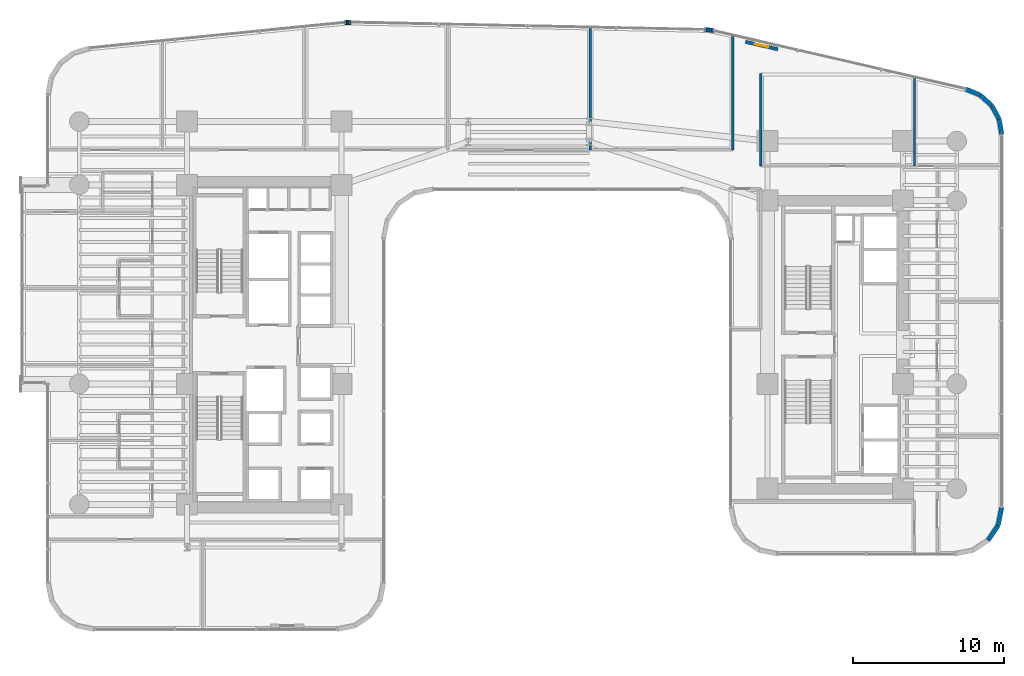
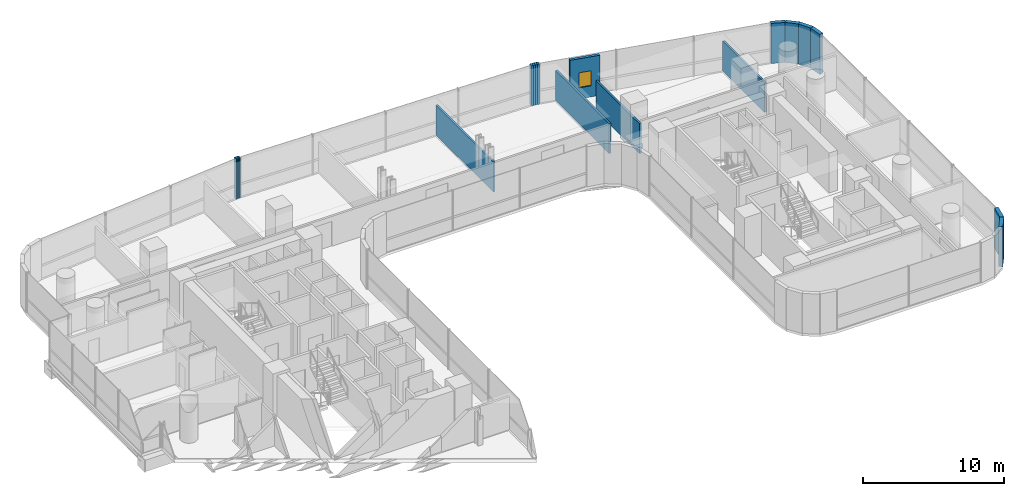
# One storey, part 33 of 39: 19 walls, 1 window, 1 opening.
"""IFC4 building model written with IfcOpenShell, lengths in metres."""

from ifc_helpers import new_model, si_unit, direction, frame, frame_2d, origin, place, context, subcontext, project, spatial, rectangle, extrude, material, layer, layer_set, type_object, element, fill, save


model = new_model("IFC4")

# Units and contexts
model_context = context("Model", 3, precision=1e-05, world=origin(), true_north=direction((0.0, 1.0)))
body_context = subcontext(model_context, "Body", "Model", "MODEL_VIEW")
ifc_project = project(units=[si_unit("LENGTHUNIT", "METRE"), si_unit("AREAUNIT", "SQUARE_METRE"), si_unit("VOLUMEUNIT", "CUBIC_METRE"), si_unit("PLANEANGLEUNIT", "RADIAN"), si_unit("MASSUNIT", "GRAM", prefix="KILO")], contexts=[model_context])

# Site, building, storey
site_placement = place(None, origin())
site = spatial("IfcSite", under=ifc_project, at=site_placement, CompositionType="ELEMENT")
building_placement = place(site_placement, origin())
building = spatial("IfcBuilding", under=site, at=building_placement, Name="Valdorenza Pilgrim Sanctuary Tower", CompositionType="ELEMENT")
storey_placement = place(building_placement, frame((0.0, 0.0, 77.800048828125)))
storey = spatial("IfcBuildingStorey", under=building, at=storey_placement, Name="L19", CompositionType="ELEMENT", Elevation=77.800048828125)

# Walls
ifc_material_1 = material(Name="Acoustic twin-stud gypsum partition", Category="gypsum")
ifc_layer_1 = layer(ifc_material_1, 0.159912109375, Name="Acoustic twin-stud gypsum partition")
ifc_layer_set_1 = layer_set([ifc_layer_1], Name="Acoustic twin-stud gypsum partition")
wall_type_1 = type_object("IfcWallType", Name="WAL-COR-160", PredefinedType="PARTITIONING", material=ifc_layer_set_1)
wall_1_placement = place(storey_placement, frame((13.550048828125, 12.919921875, 0.0), z_axis=(0.0, 0.0, 1.0), x_axis=(0.0, 1.0, 0.0)))
element("IfcWall", 1, at=wall_1_placement, inside=storey, type_object=wall_type_1, Name="L19 North Band East Closure", PredefinedType="PARTITIONING", context=body_context, shape_type="SweptSolid", body=[
    extrude(rectangle(XDim=7.609375, YDim=0.159912109375, at=frame_2d((3.8046875, 0.0))), origin(), (0.0, 0.0, 1.0), 2.5830078125),
])
wall_2_placement = place(storey_placement, frame((15.39990234375, 11.85009765625, 0.0), z_axis=(0.0, 0.0, 1.0), x_axis=(0.0, 1.0, 0.0)))
element("IfcWall", 2, at=wall_2_placement, inside=storey, type_object=wall_type_1, Name="L19 Wing B North West Wall", PredefinedType="PARTITIONING", context=body_context, shape_type="SweptSolid", body=[
    extrude(rectangle(XDim=6.14990234375, YDim=0.159912109375, at=frame_2d((3.074951171875, 0.0))), origin(), (0.0, 0.0, 1.0), 2.5830078125),
])
wall_3_placement = place(storey_placement, frame((25.60009765625, 11.85009765625, 0.0), z_axis=(0.0, 0.0, 1.0), x_axis=(0.0, 1.0, 0.0)))
element("IfcWall", 3, at=wall_3_placement, inside=storey, type_object=wall_type_1, Name="L19 Wing B North East Wall", PredefinedType="PARTITIONING", context=body_context, shape_type="SweptSolid", body=[
    extrude(rectangle(XDim=5.8984375, YDim=0.159912109375, at=frame_2d((2.94921875, 0.0))), origin(), (0.0, 0.0, 1.0), 2.5830078125),
])
ifc_material_2 = material(Name="Honed travertine limestone", Category="masonry")
ifc_layer_2 = layer(ifc_material_2, 0.300048828125, Name="Honed travertine limestone")
ifc_layer_set_2 = layer_set([ifc_layer_2], Name="Honed travertine limestone")
wall_type_2 = type_object("IfcWallType", Name="WAL-EXT-300", PredefinedType="SOLIDWALL", material=ifc_layer_set_2)
wall_4_placement = place(storey_placement, frame((-12.181884765625, 21.371337890625, 0.0), z_axis=(0.0, 0.0, 1.0), x_axis=(0.996527790842, 0.08326080759, 0.0)))
element("IfcWall", 4, at=wall_4_placement, inside=storey, type_object=wall_type_2, Name="L19 Rounded Wind-Corner Stone Pier 7", PredefinedType="SOLIDWALL", context=body_context, shape_type="SweptSolid", body=[
    extrude(rectangle(XDim=0.09375, YDim=0.300048828125, at=frame_2d((0.046875, 0.0))), origin(), (0.0, 0.0, 1.0), 3.4599609375),
])
wall_5_placement = place(storey_placement, frame((-12.08837890625, 21.379150390625, 0.0), z_axis=(0.0, 0.0, 1.0), x_axis=(0.998476480444, 0.055178963393, 0.0)))
element("IfcWall", 5, at=wall_5_placement, inside=storey, type_object=wall_type_2, Name="L19 Rounded Wind-Corner Stone Pier 8", PredefinedType="SOLIDWALL", context=body_context, shape_type="SweptSolid", body=[
    extrude(rectangle(XDim=0.093017578125, YDim=0.300048828125, at=frame_2d((0.04638671875, 0.0))), origin(), (0.0, 0.0, 1.0), 3.4599609375),
])
wall_6_placement = place(storey_placement, frame((-11.99560546875, 21.38427734375, 0.0), z_axis=(0.0, 0.0, 1.0), x_axis=(0.999722573757, 0.023553673204, 0.0)))
element("IfcWall", 6, at=wall_6_placement, inside=storey, type_object=wall_type_2, Name="L19 Rounded Wind-Corner Stone Pier 9", PredefinedType="SOLIDWALL", context=body_context, shape_type="SweptSolid", body=[
    extrude(rectangle(XDim=0.09326171875, YDim=0.300048828125, at=frame_2d((0.046630859375, 0.0))), origin(), (0.0, 0.0, 1.0), 3.4599609375),
])
wall_7_placement = place(storey_placement, frame((-11.90234375, 21.386474609375, 0.0), z_axis=(0.0, 0.0, 1.0), x_axis=(0.999986507273, -0.005194735103, 0.0)))
element("IfcWall", 7, at=wall_7_placement, inside=storey, type_object=wall_type_2, Name="L19 Rounded Wind-Corner Stone Pier 10", PredefinedType="SOLIDWALL", context=body_context, shape_type="SweptSolid", body=[
    extrude(rectangle(XDim=0.093994140625, YDim=0.300048828125, at=frame_2d((0.046875, 0.0))), origin(), (0.0, 0.0, 1.0), 3.4599609375),
])
wall_8_placement = place(storey_placement, frame((11.665771484375, 20.89697265625, 0.0), z_axis=(0.0, 0.0, 1.0), x_axis=(0.998885297239, -0.047203421059, 0.0)))
element("IfcWall", 8, at=wall_8_placement, inside=storey, type_object=wall_type_2, Name="L19 Rounded Wind-Corner Stone Pier 12", PredefinedType="SOLIDWALL", context=body_context, shape_type="SweptSolid", body=[
    extrude(rectangle(XDim=0.160400390625, YDim=0.300048828125, at=frame_2d((0.080078125, 0.0))), origin(), (0.0, 0.0, 1.0), 3.4599609375),
])
wall_9_placement = place(storey_placement, frame((11.825927734375, 20.889404296875, 0.0), z_axis=(0.0, 0.0, 1.0), x_axis=(0.995172891136, -0.098137234257, 0.0)))
element("IfcWall", 9, at=wall_9_placement, inside=storey, type_object=wall_type_2, Name="L19 Rounded Wind-Corner Stone Pier 13", PredefinedType="SOLIDWALL", context=body_context, shape_type="SweptSolid", body=[
    extrude(rectangle(XDim=0.1591796875, YDim=0.300048828125, at=frame_2d((0.07958984375, 0.0))), origin(), (0.0, 0.0, 1.0), 3.4599609375),
])
wall_10_placement = place(storey_placement, frame((11.984375, 20.873779296875, 0.0), z_axis=(0.0, 0.0, 1.0), x_axis=(0.988846069207, -0.148941100486, 0.0)))
element("IfcWall", 10, at=wall_10_placement, inside=storey, type_object=wall_type_2, Name="L19 Rounded Wind-Corner Stone Pier 14", PredefinedType="SOLIDWALL", context=body_context, shape_type="SweptSolid", body=[
    extrude(rectangle(XDim=0.158935546875, YDim=0.300048828125, at=frame_2d((0.07958984375, 0.0))), origin(), (0.0, 0.0, 1.0), 3.4599609375),
])
wall_11_placement = place(storey_placement, frame((12.1416015625, 20.85009765625, 0.0), z_axis=(0.0, 0.0, 1.0), x_axis=(0.979991950448, -0.19903712482, 0.0)))
element("IfcWall", 11, at=wall_11_placement, inside=storey, type_object=wall_type_2, Name="L19 Rounded Wind-Corner Stone Pier 15", PredefinedType="SOLIDWALL", context=body_context, shape_type="SweptSolid", body=[
    extrude(rectangle(XDim=0.16064453125, YDim=0.300048828125, at=frame_2d((0.080322265625, 0.0))), origin(), (0.0, 0.0, 1.0), 3.4599609375),
])

# Wall, opening, window
wall_12_placement = place(storey_placement, frame((14.388671875, 20.089599609375, 0.0), z_axis=(0.0, 0.0, 1.0), x_axis=(0.974400545997, -0.224818984875, 0.0)))
wall_12 = element("IfcWall", 12, at=wall_12_placement, inside=storey, type_object=wall_type_2, Name="L19 Operable Ventilation Sash Jamb Pier", PredefinedType="SOLIDWALL", context=body_context, shape_type="SweptSolid", body=[
    extrude(rectangle(XDim=2.2001953125, YDim=0.219970703125, at=frame_2d((1.10009765625, 0.0))), origin(), (0.0, 0.0, 1.0), 3.4599609375),
])
opening_placement = place(wall_12_placement, frame((0.64990234375, 0.0, 0.949951171875)))
opening = element("IfcOpeningElement", 13, at=opening_placement, cuts=wall_12, Name="Opening WN-OP1", PredefinedType="OPENING", context=body_context, shape_type="SweptSolid", body=[
    extrude(rectangle(XDim=0.89990234375, YDim=1.300048828125, at=frame_2d((0.449951171875, 0.64990234375))), frame((0.0, 0.125, 0.0), z_axis=(0.0, -1.0, 0.0), x_axis=(1.0, 0.0, 0.0)), (0.0, 0.0, 1.0), 0.249755859375),
])
ifc_material_3 = material(Name="Ceramic-fritted low-E IGU glazing", Category="glass")
window_type = type_object("IfcWindowType", Name="WIN-OPN-900", PartitioningType="SINGLE_PANEL", PredefinedType="WINDOW", material=ifc_material_3)
window_placement = place(opening_placement, origin())
window = element("IfcWindow", 14, at=window_placement, inside=storey, type_object=window_type, Name="L19 Parallel-Pop-Out Operable Facade Panel", OverallHeight=1.300048828125, OverallWidth=0.89990234375, PartitioningType="SINGLE_PANEL", PredefinedType="WINDOW", context=body_context, shape_type="SweptSolid", body=[
    extrude(rectangle(XDim=0.89990234375, YDim=1.300048828125, at=frame_2d((0.449951171875, 0.64990234375))), frame((0.0, 0.030029296875, 0.0), z_axis=(0.0, -1.0, 0.0), x_axis=(1.0, 0.0, 0.0)), (0.0, 0.0, 1.0), 0.06005859375),
])
fill(opening, window)

# Walls
wall_13_placement = place(storey_placement, frame((28.98583984375, 16.96728515625, 0.0), z_axis=(0.0, 0.0, 1.0), x_axis=(0.923083852684, -0.384598753136, 0.0)))
element("IfcWall", 15, at=wall_13_placement, inside=storey, type_object=wall_type_2, Name="L19 Rounded Wind-Corner Stone Pier 17", PredefinedType="SOLIDWALL", context=body_context, shape_type="SweptSolid", body=[
    extrude(rectangle(XDim=1.042236328125, YDim=0.300048828125, at=frame_2d((0.52099609375, 0.0))), origin(), (0.0, 0.0, 1.0), 3.4599609375),
])
wall_14_placement = place(storey_placement, frame((29.947998046875, 16.56640625, 0.0), z_axis=(0.0, 0.0, 1.0), x_axis=(0.744585645533, -0.66752694063, 0.0)))
element("IfcWall", 16, at=wall_14_placement, inside=storey, type_object=wall_type_2, Name="L19 Rounded Wind-Corner Stone Pier 18", PredefinedType="SOLIDWALL", context=body_context, shape_type="SweptSolid", body=[
    extrude(rectangle(XDim=1.032958984375, YDim=0.300048828125, at=frame_2d((0.5166015625, 0.0))), origin(), (0.0, 0.0, 1.0), 3.4599609375),
])
wall_15_placement = place(storey_placement, frame((30.717041015625, 15.876953125, 0.0), z_axis=(0.0, 0.0, 1.0), x_axis=(0.482971098131, -0.875636293429, 0.0)))
element("IfcWall", 17, at=wall_15_placement, inside=storey, type_object=wall_type_2, Name="L19 Rounded Wind-Corner Stone Pier 19", PredefinedType="SOLIDWALL", context=body_context, shape_type="SweptSolid", body=[
    extrude(rectangle(XDim=1.03271484375, YDim=0.300048828125, at=frame_2d((0.516357421875, 0.0))), origin(), (0.0, 0.0, 1.0), 3.4599609375),
])
wall_16_placement = place(storey_placement, frame((31.2158203125, 14.97265625, 0.0), z_axis=(0.0, 0.0, 1.0), x_axis=(0.167019462117, -0.985953598946, 0.0)))
element("IfcWall", 18, at=wall_16_placement, inside=storey, type_object=wall_type_2, Name="L19 Rounded Wind-Corner Stone Pier 20", PredefinedType="SOLIDWALL", context=body_context, shape_type="SweptSolid", body=[
    extrude(rectangle(XDim=1.042236328125, YDim=0.300048828125, at=frame_2d((0.52099609375, 0.0))), origin(), (0.0, 0.0, 1.0), 3.4599609375),
])
wall_17_placement = place(storey_placement, frame((31.389892578125, -10.789306640625, 0.0), z_axis=(0.0, 0.0, 1.0), x_axis=(-0.194996050505, -0.980804027463, 0.0)))
element("IfcWall", 19, at=wall_17_placement, inside=storey, type_object=wall_type_2, Name="L19 Rounded Wind-Corner Stone Pier 22", PredefinedType="SOLIDWALL", context=body_context, shape_type="SweptSolid", body=[
    extrude(rectangle(XDim=1.2158203125, YDim=0.300048828125, at=frame_2d((0.60791015625, 0.0))), origin(), (0.0, 0.0, 1.0), 3.4599609375),
])
wall_18_placement = place(storey_placement, frame((31.15283203125, -11.981689453125, 0.0), z_axis=(0.0, 0.0, 1.0), x_axis=(-0.555635100982, -0.831426265255, 0.0)))
element("IfcWall", 20, at=wall_18_placement, inside=storey, type_object=wall_type_2, Name="L19 Rounded Wind-Corner Stone Pier 23", PredefinedType="SOLIDWALL", context=body_context, shape_type="SweptSolid", body=[
    extrude(rectangle(XDim=1.204833984375, YDim=0.300048828125, at=frame_2d((0.6025390625, 0.0))), origin(), (0.0, 0.0, 1.0), 3.4599609375),
])
ifc_layer_3 = layer(ifc_material_1, 0.14990234375, Name="Acoustic twin-stud gypsum partition")
ifc_layer_set_3 = layer_set([ifc_layer_3], Name="Acoustic twin-stud gypsum partition")
wall_type_3 = type_object("IfcWallType", Name="WAL-UNT-150", PredefinedType="PARTITIONING", material=ifc_layer_set_3)
wall_19_placement = place(storey_placement, frame((4.092041015625, 12.919921875, 0.0), z_axis=(0.0, 0.0, 1.0), x_axis=(0.0, 1.0, 0.0)))
element("IfcWall", 21, at=wall_19_placement, inside=storey, type_object=wall_type_3, Name="L19 Theological Seminar Classroom L19-N5 Demising Wall", PredefinedType="PARTITIONING", context=body_context, shape_type="SweptSolid", body=[
    extrude(rectangle(XDim=8.134765625, YDim=0.14990234375, at=frame_2d((4.0673828125, 0.0))), origin(), (0.0, 0.0, 1.0), 2.5830078125),
])

save(model, "model.ifc")
